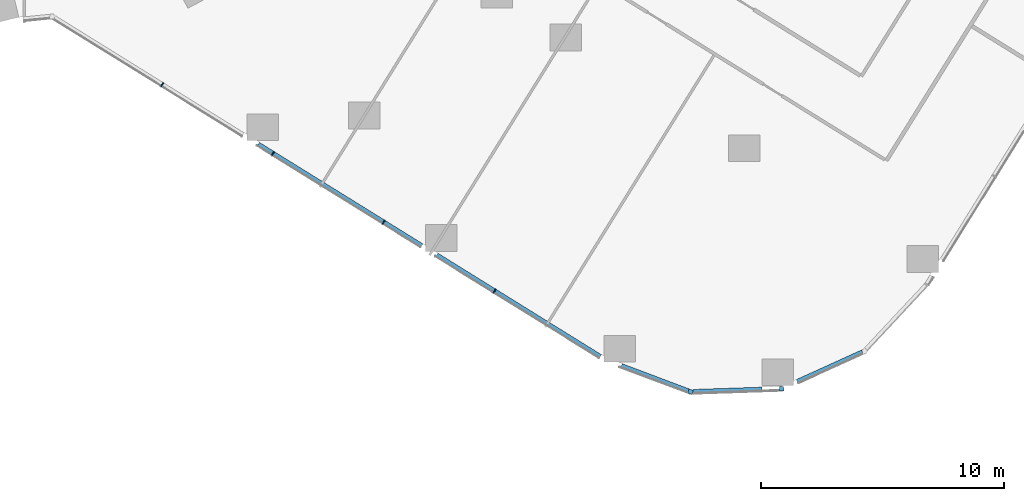
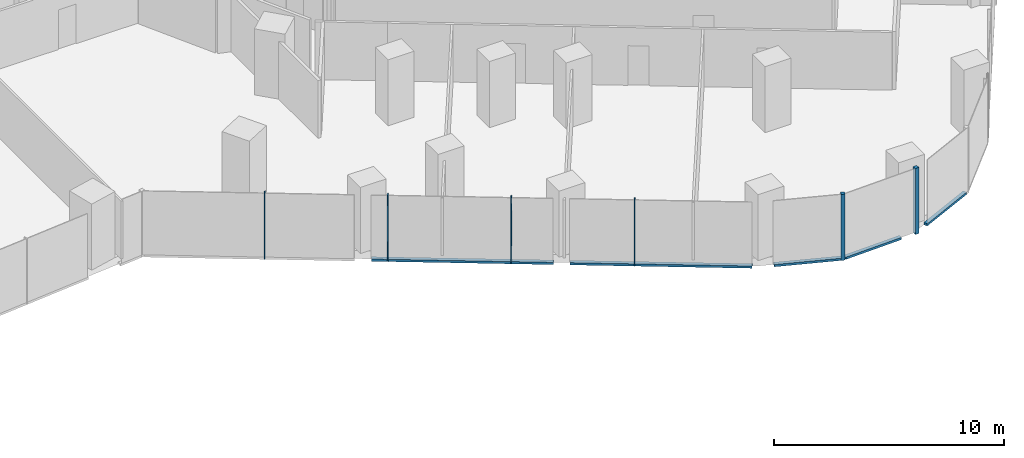
# One storey, part 7 of 34: 11 members, 4 elements without a shape of their own.
"""IFC4 building model written with IfcOpenShell, lengths in metres."""

from ifc_helpers import new_model, si_unit, direction, frame, origin, origin_2d, place, context, subcontext, project, spatial, rectangle, extrude, material, material_profile, profile_set, type_object, element, aggregate, save


model = new_model("IFC4")

# Units and contexts
model_context = context("Model", 3, precision=1e-05, world=origin(), true_north=direction((0.0, 1.0)))
body_context = subcontext(model_context, "Body", "Model", "MODEL_VIEW")
ifc_project = project(units=[si_unit("LENGTHUNIT", "METRE"), si_unit("AREAUNIT", "SQUARE_METRE"), si_unit("VOLUMEUNIT", "CUBIC_METRE"), si_unit("PLANEANGLEUNIT", "RADIAN"), si_unit("MASSUNIT", "GRAM", prefix="KILO")], contexts=[model_context])

# Site, building, storey
site_placement = place(None, origin())
site = spatial("IfcSite", under=ifc_project, at=site_placement, CompositionType="ELEMENT")
building_placement = place(site_placement, origin())
building = spatial("IfcBuilding", under=site, at=building_placement, Name="Orlundy Tower", CompositionType="ELEMENT")
storey_placement = place(building_placement, frame((0.0, 0.0, 44.300048828125)))
storey = spatial("IfcBuildingStorey", under=building, at=storey_placement, Name="L09", CompositionType="ELEMENT", Elevation=44.300048828125)

# Curtain wall, member
ifc_material_1 = material(Name="Aluminium bronze anodised", Category="aluminium")
curtain_wall_type = type_object("IfcCurtainWallType", Name="CW1 wall", PredefinedType="NOTDEFINED", material=ifc_material_1)
curtain_wall_1_placement = place(storey_placement, origin())
curtain_wall_1 = element("IfcCurtainWall", 1, at=curtain_wall_1_placement, inside=storey, type_object=curtain_wall_type, Name="CW1 run 014", PredefinedType="NOTDEFINED")
ifc_material_2 = material(Name="Aluminium bronze anodised", Category="aluminium")
ifc_material_profile_1 = material_profile(ifc_material_2, rectangle(XDim=0.179931640625, YDim=0.179931640625, at=origin_2d()), Name="CW1 corner post 180x180")
ifc_profile_set_1 = profile_set([ifc_material_profile_1], Name="Aluminium bronze anodised")
member_type_1 = type_object("IfcMemberType", Name="CW1 corner post 180x180", PredefinedType="MULLION", material=ifc_profile_set_1)
member_1_placement = place(storey_placement, frame((39.1259765625, -44.63232421875, -0.420166015625), z_axis=(0.0, 0.0, 1.0), x_axis=(0.033449557474, -0.99944040698, 0.0)))
member_1 = element("IfcMember", 2, at=member_1_placement, type_object=member_type_1, Name="CW1 mullion 42", PredefinedType="MULLION", context=body_context, shape_type="SweptSolid", body=[
    extrude(rectangle(XDim=0.179931640625, YDim=0.179931640625, at=origin_2d()), origin(), (0.0, 0.0, 1.0), 3.5),
])

curtain_wall_2_placement = place(storey_placement, origin())
curtain_wall_2 = element("IfcCurtainWall", 3, at=curtain_wall_2_placement, inside=storey, type_object=curtain_wall_type, Name="CW1 run 015", PredefinedType="NOTDEFINED")
member_2_placement = place(storey_placement, frame((35.385009765625, -44.757568359375, -0.420166015625), z_axis=(0.0, 0.0, 1.0), x_axis=(-0.351537332791, -0.936173864009, 0.0)))
member_2 = element("IfcMember", 4, at=member_2_placement, type_object=member_type_1, Name="CW1 mullion 43", PredefinedType="MULLION", context=body_context, shape_type="SweptSolid", body=[
    extrude(rectangle(XDim=0.179931640625, YDim=0.179931640625, at=origin_2d()), origin(), (0.0, 0.0, 1.0), 3.5),
])

# Curtain wall, members
curtain_wall_3_placement = place(storey_placement, origin())
curtain_wall_3 = element("IfcCurtainWall", 5, at=curtain_wall_3_placement, inside=storey, type_object=curtain_wall_type, Name="CW1 run 016", PredefinedType="NOTDEFINED")
ifc_material_3 = material(Name="Aluminium bronze anodised", Category="aluminium")
ifc_material_profile_2 = material_profile(ifc_material_3, rectangle(XDim=0.179931640625, YDim=0.050048828125, at=origin_2d()), Name="CW1 mullion 50x180")
ifc_profile_set_2 = profile_set([ifc_material_profile_2], Name="Aluminium bronze anodised")
member_type_2 = type_object("IfcMemberType", Name="CW1 mullion 50x180", PredefinedType="MULLION", material=ifc_profile_set_2)
member_3_placement = place(storey_placement, frame((27.33154296875, -40.614990234375, -0.420166015625), z_axis=(0.0, 0.0, 1.0), x_axis=(-0.52744929328, -0.849586512969, 0.0)))
member_3 = element("IfcMember", 6, at=member_3_placement, type_object=member_type_2, Name="CW1 mullion 45", PredefinedType="MULLION", context=body_context, shape_type="SweptSolid", body=[
    extrude(rectangle(XDim=0.179931640625, YDim=0.050048828125, at=origin_2d()), origin(), (0.0, 0.0, 1.0), 3.5),
])
member_4_placement = place(storey_placement, frame((22.780517578125, -37.78955078125, -0.420166015625), z_axis=(0.0, 0.0, 1.0), x_axis=(-0.52744929328, -0.849586512969, 0.0)))
member_4 = element("IfcMember", 7, at=member_4_placement, type_object=member_type_2, Name="CW1 mullion 46", PredefinedType="MULLION", context=body_context, shape_type="SweptSolid", body=[
    extrude(rectangle(XDim=0.179931640625, YDim=0.050048828125, at=origin_2d()), origin(), (0.0, 0.0, 1.0), 3.5),
])
member_5_placement = place(storey_placement, frame((18.2294921875, -34.96435546875, -0.420166015625), z_axis=(0.0, 0.0, 1.0), x_axis=(-0.52744929328, -0.849586512969, 0.0)))
member_5 = element("IfcMember", 8, at=member_5_placement, type_object=member_type_2, Name="CW1 mullion 47", PredefinedType="MULLION", context=body_context, shape_type="SweptSolid", body=[
    extrude(rectangle(XDim=0.179931640625, YDim=0.050048828125, at=origin_2d()), origin(), (0.0, 0.0, 1.0), 3.5),
])
member_6_placement = place(storey_placement, frame((13.678466796875, -32.138916015625, -0.420166015625), z_axis=(0.0, 0.0, 1.0), x_axis=(-0.52744929328, -0.849586512969, 0.0)))
member_6 = element("IfcMember", 9, at=member_6_placement, type_object=member_type_2, Name="CW1 mullion 48", PredefinedType="MULLION", context=body_context, shape_type="SweptSolid", body=[
    extrude(rectangle(XDim=0.179931640625, YDim=0.050048828125, at=origin_2d()), origin(), (0.0, 0.0, 1.0), 3.5),
])

# Curtain wall, member
curtain_wall_4_placement = place(storey_placement, origin())
curtain_wall_4 = element("IfcCurtainWall", 10, at=curtain_wall_4_placement, inside=storey, type_object=curtain_wall_type, Name="CW1 run 013", PredefinedType="NOTDEFINED")
ifc_material_4 = material(Name="Aluminium bronze anodised", Category="aluminium")
ifc_material_profile_3 = material_profile(ifc_material_4, rectangle(XDim=0.179931640625, YDim=0.1201171875, at=origin_2d()), Name="CW1 transom 180x120")
ifc_profile_set_3 = profile_set([ifc_material_profile_3], Name="Aluminium bronze anodised")
member_type_3 = type_object("IfcMemberType", Name="CW1 transom 180x120", PredefinedType="USERDEFINED", material=ifc_profile_set_3)
member_7_placement = place(storey_placement, frame((42.45166015625, -43.122802734375, -0.360107421875), z_axis=(-0.910596137733, -0.413297319064, 0.0), x_axis=(0.413297319064, -0.910596137733, 0.0)))
member_7 = element("IfcMember", 11, at=member_7_placement, type_object=member_type_3, Name="CW1 transom", ObjectType="TRANSOM", PredefinedType="USERDEFINED", context=body_context, shape_type="SweptSolid", body=[
    extrude(rectangle(XDim=0.179931640625, YDim=0.1201171875, at=origin_2d()), origin(), (0.0, 0.0, 1.0), 2.947021484375),
])
aggregate(curtain_wall_4, [member_7])

# Member
member_8_placement = place(storey_placement, frame((38.32958984375, -44.658935546875, -0.360107421875), z_axis=(-0.999438420186, -0.033508868315, 0.0), x_axis=(0.033508868315, -0.999438420186, 0.0)))
member_8 = element("IfcMember", 12, at=member_8_placement, type_object=member_type_3, Name="CW1 transom", ObjectType="TRANSOM", PredefinedType="USERDEFINED", context=body_context, shape_type="SweptSolid", body=[
    extrude(rectangle(XDim=0.179931640625, YDim=0.1201171875, at=origin_2d()), origin(), (0.0, 0.0, 1.0), 2.848876953125),
])

aggregate(curtain_wall_1, [member_1, member_8])

member_9_placement = place(storey_placement, frame((35.30078125, -44.725830078125, -0.360107421875), z_axis=(-0.9361721635, 0.35154186136, 0.0), x_axis=(-0.35154186136, -0.9361721635, 0.0)))
member_9 = element("IfcMember", 13, at=member_9_placement, type_object=member_type_3, Name="CW1 transom", ObjectType="TRANSOM", PredefinedType="USERDEFINED", context=body_context, shape_type="SweptSolid", body=[
    extrude(rectangle(XDim=0.179931640625, YDim=0.1201171875, at=origin_2d()), origin(), (0.0, 0.0, 1.0), 2.941162109375),
])

aggregate(curtain_wall_2, [member_2, member_9])

member_10_placement = place(storey_placement, frame((31.675048828125, -43.3115234375, -0.360107421875), z_axis=(-0.849597227848, 0.527432033947, 0.0), x_axis=(-0.527432033947, -0.849597227848, 0.0)))
member_10 = element("IfcMember", 14, at=member_10_placement, type_object=member_type_3, Name="CW1 transom", ObjectType="TRANSOM", PredefinedType="USERDEFINED", context=body_context, shape_type="SweptSolid", body=[
    extrude(rectangle(XDim=0.179931640625, YDim=0.1201171875, at=origin_2d()), origin(), (0.0, 0.0, 1.0), 7.906982421875),
])

member_11_placement = place(storey_placement, frame((24.339111328125, -38.75732421875, -0.360107421875), z_axis=(-0.849575259851, 0.527467418756, 0.0), x_axis=(-0.527467418756, -0.849575259851, 0.0)))
member_11 = element("IfcMember", 15, at=member_11_placement, type_object=member_type_3, Name="CW1 transom", ObjectType="TRANSOM", PredefinedType="USERDEFINED", context=body_context, shape_type="SweptSolid", body=[
    extrude(rectangle(XDim=0.179931640625, YDim=0.1201171875, at=origin_2d()), origin(), (0.0, 0.0, 1.0), 7.904541015625),
])

aggregate(curtain_wall_3, [member_3, member_4, member_5, member_6, member_10, member_11])

save(model, "model.ifc")
